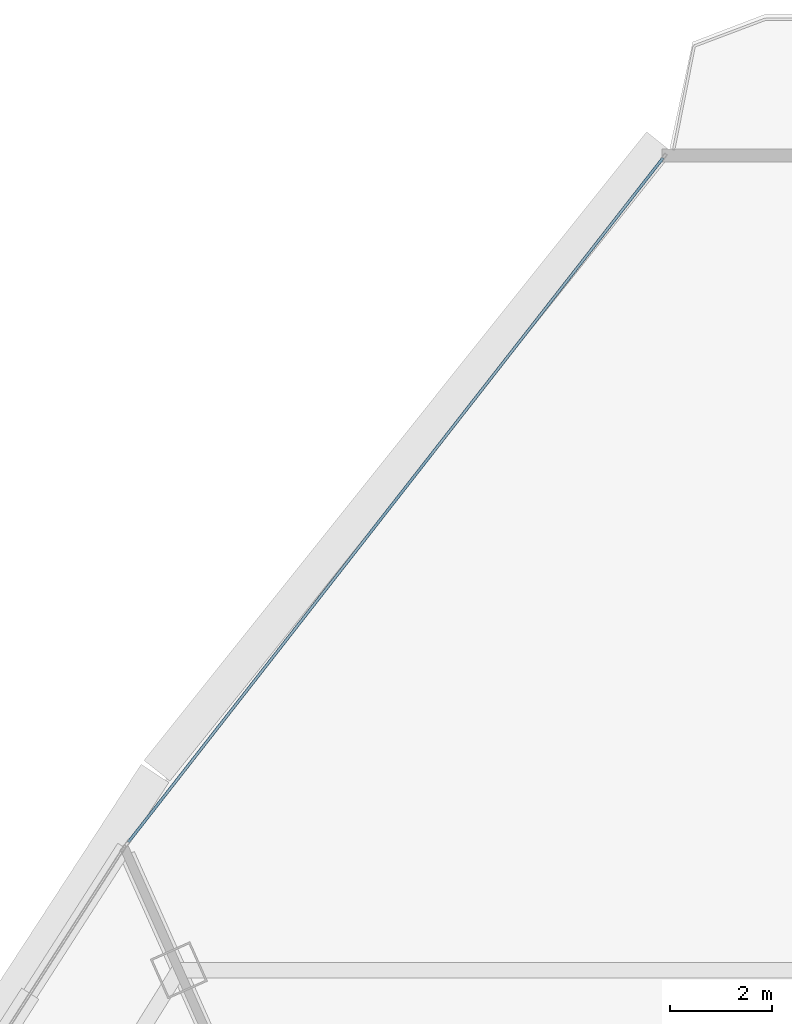
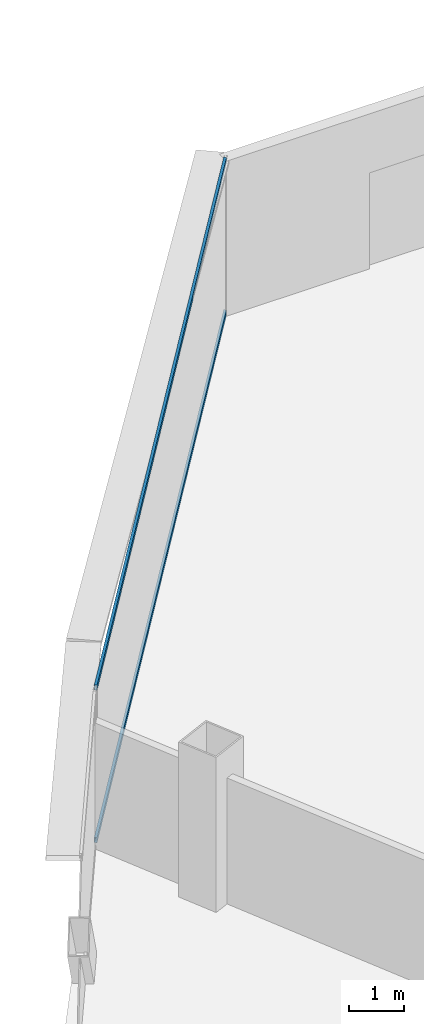
# One storey, part 18 of 36: 2 members, 1 element without a shape of its own.
"""IFC4 building model written with IfcOpenShell, lengths in metres."""

from ifc_helpers import new_model, si_unit, direction, frame, origin, origin_2d, place, context, subcontext, project, spatial, hollow_rectangle, extrude, source, transform, mapped, material, layer, layer_set, material_profile, profile_set, type_object, element, aggregate, save


model = new_model("IFC4")

# Units and contexts
model_context = context("Model", 3, precision=1e-05, world=origin(), true_north=direction((0.0, 1.0)))
body_context = subcontext(model_context, "Body", "Model", "MODEL_VIEW")
ifc_project = project(units=[si_unit("LENGTHUNIT", "METRE"), si_unit("AREAUNIT", "SQUARE_METRE"), si_unit("VOLUMEUNIT", "CUBIC_METRE"), si_unit("PLANEANGLEUNIT", "RADIAN"), si_unit("MASSUNIT", "GRAM", prefix="KILO"), si_unit("THERMODYNAMICTEMPERATUREUNIT", "KELVIN"), si_unit("POWERUNIT", "WATT")], contexts=[model_context])

# Site, building, storey
site_placement = place(None, origin())
site = spatial("IfcSite", under=ifc_project, at=site_placement, CompositionType="ELEMENT")
building_placement = place(site_placement, origin())
building = spatial("IfcBuilding", under=site, at=building_placement, Name="Yunzhuo Pagoda Commons", CompositionType="ELEMENT")
storey_placement = place(building_placement, frame((0.0, 0.0, 244.530029296875)))
storey = spatial("IfcBuildingStorey", under=building, at=storey_placement, Name="L61", CompositionType="ELEMENT", Elevation=244.530029296875)

# Curtain wall, members
ifc_material = material(Name="Anodized aluminium 6063-T6", Category="aluminium")
ifc_layer = layer(ifc_material, 0.139892578125)
ifc_layer_set = layer_set([ifc_layer], Name="Anodized aluminium 6063-T6")
curtain_wall_type = type_object("IfcCurtainWallType", Name="CW-HI High-Zone Ribbon Curtain Wall", PredefinedType="NOTDEFINED", material=ifc_layer_set)
curtain_wall_placement = place(storey_placement, origin())
curtain_wall = element("IfcCurtainWall", 1, at=curtain_wall_placement, inside=storey, type_object=curtain_wall_type, Name="L61 curtain wall CW-L61-F3B1", PredefinedType="NOTDEFINED")
ifc_material_profile = material_profile(ifc_material, hollow_rectangle(XDim=0.054931640625, YDim=0.1201171875, WallThickness=0.00341796875, at=origin_2d()), Name="Anodized aluminium 6063-T6")
ifc_profile_set = profile_set([ifc_material_profile], Name="Anodized aluminium 6063-T6")
member_type = type_object("IfcMemberType", Name="CW-HI-T Transom RHS 120x55x3.5", PredefinedType="USERDEFINED", material=ifc_profile_set)
shared_shape = source(origin(), body_context, "Body", "SweptSolid", [
    extrude(hollow_rectangle(XDim=0.054931640625, YDim=0.1201171875, WallThickness=0.00341796875, at=origin_2d()), origin(), (0.0, 0.0, 1.0), 17.036865234375),
])
member_1_placement = place(storey_placement, frame((44.094482421875, 79.75244140625, 0.027587890625), z_axis=(-0.615782241849, -0.787916385553, 0.0), x_axis=(0.787916385553, -0.615782241849, 0.0)))
member_1 = element("IfcMember", 2, at=member_1_placement, type_object=member_type, Name="CW transom 1.1", ObjectType="TRANSOM", PredefinedType="USERDEFINED", context=body_context, shape_type="MappedRepresentation", body=[
    mapped(shared_shape, transform((0.0, 0.0, 0.0), scale=1.0)),
])
member_2_placement = place(storey_placement, frame((44.094482421875, 79.75244140625, 3.4423828125), z_axis=(-0.615782241849, -0.787916385553, 0.0), x_axis=(0.787916385553, -0.615782241849, 0.0)))
member_2 = element("IfcMember", 3, at=member_2_placement, type_object=member_type, Name="CW transom 1.2", ObjectType="TRANSOM", PredefinedType="USERDEFINED", context=body_context, shape_type="MappedRepresentation", body=[
    mapped(shared_shape, transform((0.0, 0.0, 0.0), scale=1.0)),
])
aggregate(curtain_wall, [member_1, member_2])

save(model, "model.ifc")
